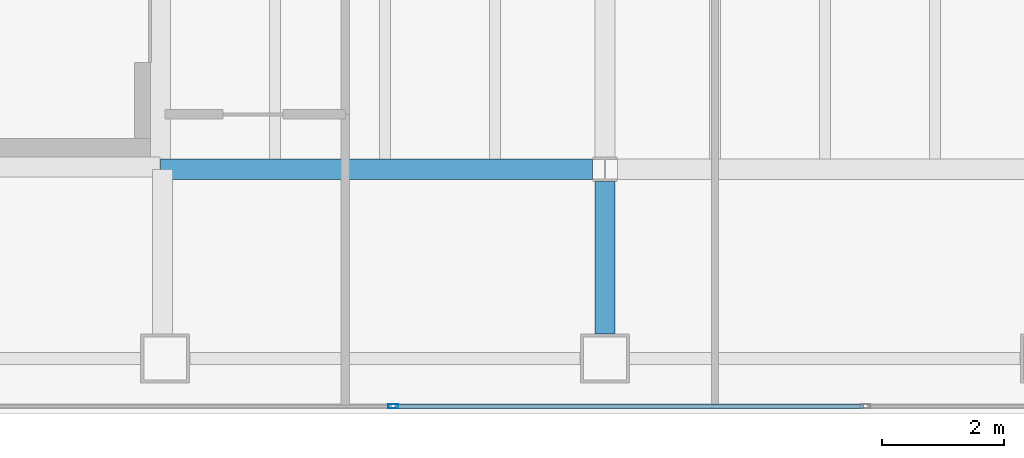
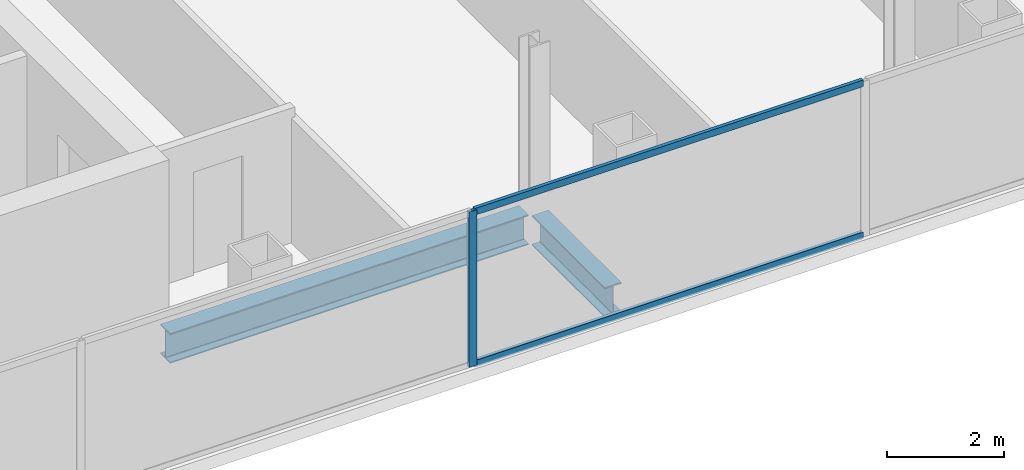
# One storey, part 4 of 23: 3 members, 2 beams, 1 element without a shape of its own.
"""IFC4 building model written with IfcOpenShell, lengths in metres."""

from ifc_helpers import new_model, si_unit, direction, frame, origin, origin_2d, place, context, subcontext, project, spatial, hollow_rectangle, i_section, extrude, material, material_profile, profile_set, type_object, element, aggregate, save


model = new_model("IFC4")

# Units and contexts
model_context = context("Model", 3, precision=1e-05, world=origin(), true_north=direction((0.0, 1.0)))
body_context = subcontext(model_context, "Body", "Model", "MODEL_VIEW")
ifc_project = project(units=[si_unit("LENGTHUNIT", "METRE"), si_unit("AREAUNIT", "SQUARE_METRE"), si_unit("VOLUMEUNIT", "CUBIC_METRE"), si_unit("PLANEANGLEUNIT", "RADIAN"), si_unit("MASSUNIT", "GRAM", prefix="KILO")], contexts=[model_context])

# Site, building, storey
site_placement = place(None, origin())
site = spatial("IfcSite", under=ifc_project, at=site_placement, CompositionType="ELEMENT")
building_placement = place(site_placement, origin())
building = spatial("IfcBuilding", under=site, at=building_placement, Name="Cobrela Telecom Tower", CompositionType="ELEMENT")
storey_placement = place(building_placement, frame((0.0, 0.0, 190.75)))
storey = spatial("IfcBuildingStorey", under=building, at=storey_placement, Name="L48", CompositionType="ELEMENT", Elevation=190.75)

# Beams
ifc_material_1 = material(Name="Steel ASTM A992 Grade 50", Category="steel")
ifc_material_profile_1 = material_profile(ifc_material_1, i_section(OverallWidth=0.327880859375, OverallDepth=0.6220703125, WebThickness=0.015380859375, FlangeThickness=0.0244140625, FilletRadius=0.014892578125, at=origin_2d()), Name="W24X131")
ifc_profile_set_1 = profile_set([ifc_material_profile_1], Name="Steel ASTM A992 Grade 50")
beam_type = type_object("IfcBeamType", Name="BM-GIRD-06", PredefinedType="USERDEFINED", material=ifc_profile_set_1)
beam_1_placement = place(storey_placement, frame((14.324951171875, 7.199951171875, -0.571044921875), z_axis=(1.0, 0.0, 0.0), x_axis=(0.0, 1.0, 0.0)))
element("IfcBeam", 1, at=beam_1_placement, inside=storey, type_object=beam_type, Name="L48 Primary Girder X07", ObjectType="GIRDER", PredefinedType="USERDEFINED", context=body_context, shape_type="SweptSolid", body=[
    extrude(i_section(OverallWidth=0.327880859375, OverallDepth=0.6220703125, WebThickness=0.015380859375, FlangeThickness=0.0244140625, FilletRadius=0.014892578125, at=origin_2d()), origin(), (0.0, 0.0, 1.0), 7.070556640625),
])
beam_2_placement = place(storey_placement, frame((21.60009765625, 4.5048828125, -0.571044921875), z_axis=(0.0, 1.0, 0.0), x_axis=(-1.0, 0.0, 0.0)))
element("IfcBeam", 2, at=beam_2_placement, inside=storey, type_object=beam_type, Name="L48 Primary Girder Y32", ObjectType="GIRDER", PredefinedType="USERDEFINED", context=body_context, shape_type="SweptSolid", body=[
    extrude(i_section(OverallWidth=0.327880859375, OverallDepth=0.6220703125, WebThickness=0.015380859375, FlangeThickness=0.0244140625, FilletRadius=0.014892578125, at=origin_2d()), origin(), (0.0, 0.0, 1.0), 2.49072265625),
])

# Curtain wall, members
ifc_material_2 = material(Name="Anodized Bronze Aluminium 6063-T6", Category="aluminium")
curtain_wall_type = type_object("IfcCurtainWallType", Name="CW-SYS-OFF-LO", PredefinedType="USERDEFINED", material=ifc_material_2)
curtain_wall_placement = place(storey_placement, origin())
curtain_wall = element("IfcCurtainWall", 3, at=curtain_wall_placement, inside=storey, type_object=curtain_wall_type, Name="L48 Unitised Bronze Curtain Wall 17", ObjectType="UNITISED CURTAIN WALL", PredefinedType="USERDEFINED")
ifc_material_profile_2 = material_profile(ifc_material_2, hollow_rectangle(XDim=0.070068359375, YDim=0.159912109375, WallThickness=0.00390625, at=origin_2d()), Name="ALU 70x160x4")
ifc_profile_set_2 = profile_set([ifc_material_profile_2], Name="Anodized Bronze Aluminium 6063-T6")
member_type_1 = type_object("IfcMemberType", Name="CW-SYS-OFF-LO-MUL", PredefinedType="MULLION", material=ifc_profile_set_2)
member_1_placement = place(storey_placement, frame((18.134033203125, 3.320068359375, 0.0), z_axis=(0.0, 0.0, 1.0), x_axis=(0.0, -1.0, 0.0)))
member_1 = element("IfcMember", 4, at=member_1_placement, type_object=member_type_1, Name="CW-OFF-LO mullion 4", PredefinedType="MULLION", context=body_context, shape_type="SweptSolid", body=[
    extrude(hollow_rectangle(XDim=0.070068359375, YDim=0.159912109375, WallThickness=0.00390625, at=origin_2d()), origin(), (0.0, 0.0, 1.0), 3.239990234375),
])
ifc_material_profile_3 = material_profile(ifc_material_2, hollow_rectangle(XDim=0.070068359375, YDim=0.139892578125, WallThickness=0.00390625, at=origin_2d()), Name="ALU 70x140x4")
ifc_profile_set_3 = profile_set([ifc_material_profile_3], Name="Anodized Bronze Aluminium 6063-T6")
member_type_2 = type_object("IfcMemberType", Name="CW-SYS-OFF-LO-TRN", PredefinedType="USERDEFINED", material=ifc_profile_set_3)
member_2_placement = place(storey_placement, frame((25.8310546875, 3.320068359375, 0.034912109375), z_axis=(-1.0, 0.0, 0.0), x_axis=(0.0, -1.0, 0.0)))
member_2 = element("IfcMember", 5, at=member_2_placement, type_object=member_type_2, Name="CW-OFF-LO transom 3.1", ObjectType="TRANSOM", PredefinedType="USERDEFINED", context=body_context, shape_type="SweptSolid", body=[
    extrude(hollow_rectangle(XDim=0.070068359375, YDim=0.139892578125, WallThickness=0.00390625, at=origin_2d()), origin(), (0.0, 0.0, 1.0), 7.662109375),
])
member_3_placement = place(storey_placement, frame((25.8310546875, 3.320068359375, 3.205078125), z_axis=(-1.0, 0.0, 0.0), x_axis=(0.0, -1.0, 0.0)))
member_3 = element("IfcMember", 6, at=member_3_placement, type_object=member_type_2, Name="CW-OFF-LO transom 3.2", ObjectType="TRANSOM", PredefinedType="USERDEFINED", context=body_context, shape_type="SweptSolid", body=[
    extrude(hollow_rectangle(XDim=0.070068359375, YDim=0.139892578125, WallThickness=0.00390625, at=origin_2d()), origin(), (0.0, 0.0, 1.0), 7.662109375),
])
aggregate(curtain_wall, [member_1, member_2, member_3])

save(model, "model.ifc")
